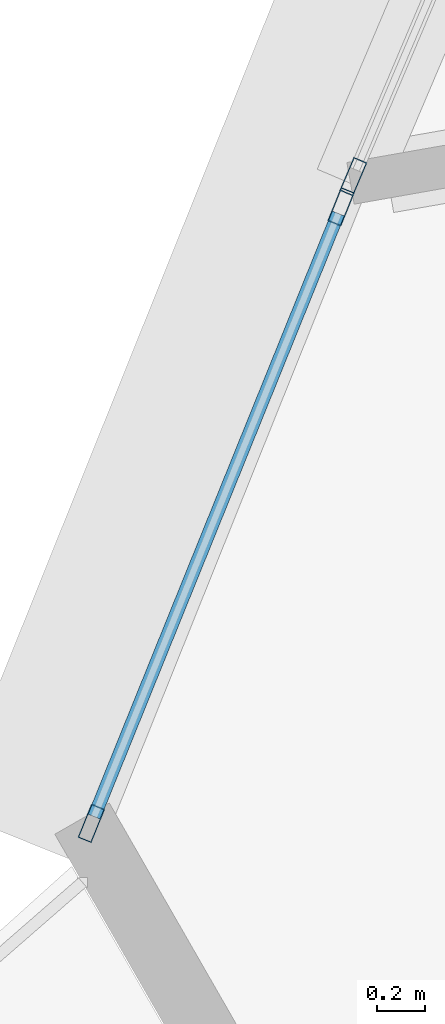
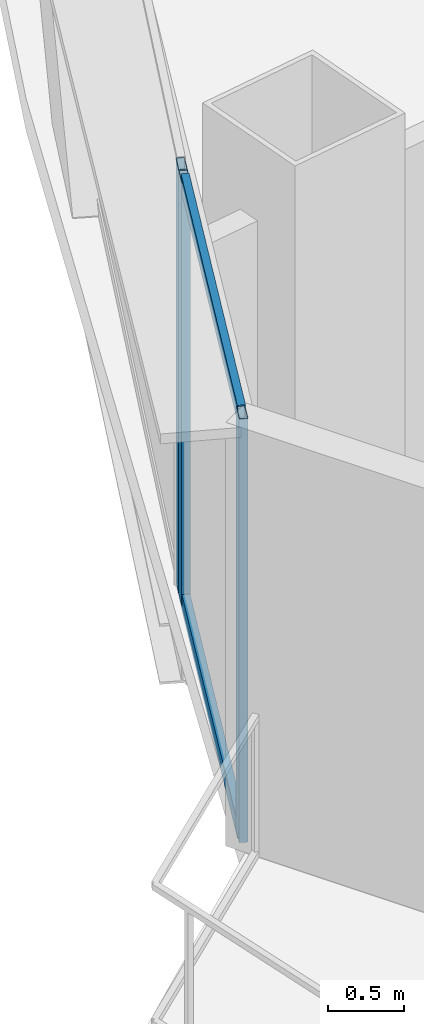
# One storey, part 4 of 39: 5 members, 2 elements without a shape of their own.
"""IFC4 building model written with IfcOpenShell, lengths in metres."""

import ifcopenshell
import ifcopenshell.guid

model = None  # the IFC model being written
_history = None  # IfcOwnerHistory: only IFC2X3 demands one
_inside = {}  # id of a spatial element -> (the spatial element, [elements in it])
_under = {}  # id of a project, library or spatial element -> (it, [spatial elements below it])
_declared = {}  # id of a project -> (the project, [libraries it declares])
_typed = {}  # id of a type object -> (the type object, [elements of that type])
_made_of = {}  # id of a material, layer set ... -> (it, [elements and type objects made of it])


def new_model(schema):
    """Start an empty IFC model of exactly this schema.

    Asked for "IFC4X3", IfcOpenShell would pick the latest addendum, in which some entities
    have other attributes; the version numbers below select the first issue.
    IFC2X3 requires an IfcOwnerHistory on every rooted entity: one is made here for all.
    """
    global model, _history
    if schema == "IFC4X3":
        model = ifcopenshell.file(schema_version=(4, 3, 0, 0))
    else:
        model = ifcopenshell.file(schema=schema)
    _inside.clear()
    _under.clear()
    _declared.clear()
    _typed.clear()
    _made_of.clear()
    _history = None
    if model.schema == "IFC2X3":
        org = make("IfcOrganization", Name="unknown")
        user = make(
            "IfcPersonAndOrganization",
            ThePerson=make("IfcPerson", FamilyName="unknown"),
            TheOrganization=org,
        )
        app = make(
            "IfcApplication",
            ApplicationDeveloper=org,
            Version="unknown",
            ApplicationFullName="unknown",
            ApplicationIdentifier="unknown",
        )
        _history = make(
            "IfcOwnerHistory",
            OwningUser=user,
            OwningApplication=app,
            ChangeAction="ADDED",
            CreationDate=0,
        )
    return model


def make(cls, **values):
    """One entity of the class cls with the attributes given. An attribute that is None is left unset."""
    return model.create_entity(
        cls, **{name: value for name, value in values.items() if value is not None}
    )


def rooted(cls, **values):
    """An entity with a GlobalId (a new one), such as an element, a storey or a relation."""
    return make(cls, GlobalId=ifcopenshell.guid.new(), OwnerHistory=_history, **values)


def si_unit(unit_type, name, prefix=None):
    """IfcSIUnit, for example si_unit("LENGTHUNIT", "METRE", prefix="MILLI")."""
    return make("IfcSIUnit", UnitType=unit_type, Prefix=prefix, Name=name)


def assignment(units):
    """IfcUnitAssignment: the units of a project."""
    return None if units is None else make("IfcUnitAssignment", Units=units)


def point(xyz):
    """IfcCartesianPoint."""
    return None if xyz is None else make("IfcCartesianPoint", Coordinates=xyz)


def direction(xyz):
    """IfcDirection."""
    return None if xyz is None else make("IfcDirection", DirectionRatios=xyz)


def frame(location, z_axis=None, x_axis=None):
    """IfcAxis2Placement3D, a coordinate frame: its origin and axes. An axis left out is left unset."""
    return make(
        "IfcAxis2Placement3D",
        Location=point(location),
        Axis=direction(z_axis),
        RefDirection=direction(x_axis),
    )


def frame_2d(location, x_axis=None):
    """IfcAxis2Placement2D, a coordinate frame in the plane: its origin and x axis."""
    return make(
        "IfcAxis2Placement2D", Location=point(location), RefDirection=direction(x_axis)
    )


def origin():
    """The frame at (0, 0, 0) with its axes left unset."""
    return frame((0.0, 0.0, 0.0))


def origin_2d():
    """The frame at (0, 0) in the plane with its x axis left unset."""
    return frame_2d((0.0, 0.0))


def place(relative_to, where):
    """IfcLocalPlacement: puts the frame where relative to a parent placement (None: the world)."""
    return make(
        "IfcLocalPlacement", PlacementRelTo=relative_to, RelativePlacement=where
    )


def context(
    kind, dimensions, precision=None, world=None, true_north=None, identifier=None
):
    """IfcGeometricRepresentationContext, for example the 3D "Model" context."""
    return make(
        "IfcGeometricRepresentationContext",
        ContextIdentifier=identifier,
        ContextType=kind,
        CoordinateSpaceDimension=dimensions,
        Precision=precision,
        WorldCoordinateSystem=world,
        TrueNorth=true_north,
    )


def subcontext(parent, identifier, kind, view, scale=None):
    """IfcGeometricRepresentationSubContext, for example "Body" below "Model"."""
    return make(
        "IfcGeometricRepresentationSubContext",
        ContextIdentifier=identifier,
        ContextType=kind,
        ParentContext=parent,
        TargetScale=scale,
        TargetView=view,
    )


def project(units=None, contexts=None):
    """IfcProject with its units and contexts."""
    return rooted(
        "IfcProject",
        Name="project",
        RepresentationContexts=contexts,
        UnitsInContext=assignment(units),
    )


def spatial(cls, under=None, at=None, **own):
    """A site, building, storey or space (cls), placed at a placement, below another one or the project."""
    s = rooted(cls, ObjectPlacement=at, **own)
    if under is not None:
        _under.setdefault(under.id(), (under, []))[1].append(s)
    return s


def profile(cls, at=None, kind="AREA", **sizes):
    """A parametric profile (cls). Its sizes go by their IFC names, for example OverallWidth=200.0."""
    return make(cls, ProfileType=kind, Position=at, **sizes)


def hollow_rectangle(**sizes):
    """IfcRectangleHollowProfileDef."""
    return profile("IfcRectangleHollowProfileDef", **sizes)


def extrude(swept, where, along, depth):
    """IfcExtrudedAreaSolid: the profile swept, set in the frame where, extruded along a direction by depth."""
    return make(
        "IfcExtrudedAreaSolid",
        SweptArea=swept,
        Position=where,
        ExtrudedDirection=direction(along),
        Depth=depth,
    )


def shape(context_of_items, identifier, shape_type, items):
    """IfcShapeRepresentation: the items that make up one representation, for example the "Body"."""
    return make(
        "IfcShapeRepresentation",
        ContextOfItems=context_of_items,
        RepresentationIdentifier=identifier,
        RepresentationType=shape_type,
        Items=items,
    )


def source(mapping_origin, context_of_items, identifier, shape_type, items):
    """IfcRepresentationMap: a shape defined once, which mapped items show again and again."""
    return make(
        "IfcRepresentationMap",
        MappingOrigin=mapping_origin,
        MappedRepresentation=shape(context_of_items, identifier, shape_type, items),
    )


def transform(
    local_origin,
    x_axis=None,
    y_axis=None,
    z_axis=None,
    scale=None,
    scale2=None,
    scale3=None,
    uniform=True,
):
    """IfcCartesianTransformationOperator3D, or its non-uniform kind. x_axis, y_axis, z_axis: its Axis1, 2, 3."""
    if uniform:
        return make(
            "IfcCartesianTransformationOperator3D",
            Axis1=direction(x_axis),
            Axis2=direction(y_axis),
            LocalOrigin=point(local_origin),
            Scale=scale,
            Axis3=direction(z_axis),
        )
    return make(
        "IfcCartesianTransformationOperator3DnonUniform",
        Axis1=direction(x_axis),
        Axis2=direction(y_axis),
        LocalOrigin=point(local_origin),
        Scale=scale,
        Axis3=direction(z_axis),
        Scale2=scale2,
        Scale3=scale3,
    )


def mapped(mapping_source, mapping_target):
    """IfcMappedItem: shows the shape of a source again, moved by a transform."""
    return make(
        "IfcMappedItem", MappingSource=mapping_source, MappingTarget=mapping_target
    )


def material(Name=None, Category=None):
    """IfcMaterial."""
    return make("IfcMaterial", Name=Name, Category=Category)


def layer(
    of_material, thickness, ventilated=None, Name=None, Category=None, Priority=None
):
    """IfcMaterialLayer: one layer of a wall or slab, of a material (None: an air gap)."""
    return make(
        "IfcMaterialLayer",
        Material=of_material,
        LayerThickness=thickness,
        IsVentilated=ventilated,
        Name=Name,
        Category=Category,
        Priority=Priority,
    )


def layer_set(layers, Name=None):
    """IfcMaterialLayerSet."""
    return make("IfcMaterialLayerSet", MaterialLayers=layers, LayerSetName=Name)


def material_profile(
    of_material, cross_section, Name=None, Category=None, Priority=None
):
    """IfcMaterialProfile: a cross section and its material."""
    return make(
        "IfcMaterialProfile",
        Name=Name,
        Material=of_material,
        Profile=cross_section,
        Priority=Priority,
        Category=Category,
    )


def profile_set(profiles, Name=None, composite=None):
    """IfcMaterialProfileSet."""
    return make(
        "IfcMaterialProfileSet",
        Name=Name,
        MaterialProfiles=profiles,
        CompositeProfile=composite,
    )


def made_of(thing, what):
    """Note that an element or type object is made of a material, layer set ...; save() writes the relation."""
    if what is not None:
        _made_of.setdefault(what.id(), (what, []))[1].append(thing)
    return thing


def type_object(cls, material=None, **own):
    """A type object (cls), such as IfcWallType, which elements share."""
    return made_of(rooted(cls, **own), material)


def element(
    cls,
    number,
    at=None,
    inside=None,
    cuts=None,
    type_object=None,
    material=None,
    context=None,
    identifier="Body",
    shape_type=None,
    held_by="IfcProductDefinitionShape",
    body=None,
    shapes=None,
    **own,
):
    """One element of the class cls, such as IfcWall. Its Tag is "e" and its number.

    at: its placement. inside: the storey or other place that contains it. cuts: it is an
    opening in that element (IfcRelVoidsElement). A single representation is given by context,
    identifier, shape_type and body (its items); several are given by shapes. held_by: the class
    of the entity that holds the representations. save() writes the other relations.
    """
    e = rooted(cls, Tag="e%d" % number, ObjectPlacement=at, **own)
    if body is not None:
        shapes = [shape(context, identifier, shape_type, body)]
    if shapes is not None:
        e.Representation = make(held_by, Representations=shapes)
    if inside is not None:
        _inside.setdefault(inside.id(), (inside, []))[1].append(e)
    if cuts is not None:
        rooted(
            "IfcRelVoidsElement", RelatingBuildingElement=cuts, RelatedOpeningElement=e
        )
    if type_object is not None:
        _typed.setdefault(type_object.id(), (type_object, []))[1].append(e)
    return made_of(e, material)


def aggregate(whole, parts):
    """IfcRelAggregates: a whole, such as a stair, and the parts it consists of."""
    return rooted("IfcRelAggregates", RelatingObject=whole, RelatedObjects=parts)


def save(model, path):
    """Write the relations noted so far, then the file.

    IfcRelAggregates (storeys below a building ...), IfcRelContainedInSpatialStructure (elements
    in a storey), IfcRelDefinesByType, IfcRelAssociatesMaterial and IfcRelDeclares: one each for
    every whole, place, type object, material and project.
    """
    for whole, parts in _under.values():
        aggregate(whole, parts)
    for where, things in _inside.values():
        rooted(
            "IfcRelContainedInSpatialStructure",
            RelatedElements=things,
            RelatingStructure=where,
        )
    for kind, things in _typed.values():
        rooted("IfcRelDefinesByType", RelatedObjects=things, RelatingType=kind)
    for what, things in _made_of.values():
        rooted("IfcRelAssociatesMaterial", RelatedObjects=things, RelatingMaterial=what)
    for by, libraries in _declared.values():
        rooted("IfcRelDeclares", RelatingContext=by, RelatedDefinitions=libraries)
    model.write(path)


model = new_model("IFC4")

# Units and contexts
model_context = context("Model", 3, precision=1e-05, world=origin(), true_north=direction((0.0, 1.0)))
body_context = subcontext(model_context, "Body", "Model", "MODEL_VIEW")
ifc_project = project(units=[si_unit("LENGTHUNIT", "METRE"), si_unit("AREAUNIT", "SQUARE_METRE"), si_unit("VOLUMEUNIT", "CUBIC_METRE"), si_unit("PLANEANGLEUNIT", "RADIAN"), si_unit("MASSUNIT", "GRAM", prefix="KILO"), si_unit("THERMODYNAMICTEMPERATUREUNIT", "KELVIN"), si_unit("POWERUNIT", "WATT")], contexts=[model_context])

# Site, building, storey
site_placement = place(None, origin())
site = spatial("IfcSite", under=ifc_project, at=site_placement, CompositionType="ELEMENT")
building_placement = place(site_placement, origin())
building = spatial("IfcBuilding", under=site, at=building_placement, Name="Yunzhuo Pagoda Commons", CompositionType="ELEMENT")
storey_placement = place(building_placement, frame((0.0, 0.0, 162.949951171875)))
storey = spatial("IfcBuildingStorey", under=building, at=storey_placement, Name="L41", CompositionType="ELEMENT", Elevation=162.949951171875)

# Curtain wall, member
ifc_material = material(Name="Anodized aluminium 6063-T6", Category="aluminium")
ifc_layer = layer(ifc_material, 0.14990234375)
ifc_layer_set = layer_set([ifc_layer], Name="Anodized aluminium 6063-T6")
curtain_wall_type = type_object("IfcCurtainWallType", Name="CW-MID Mid-Zone Ribbon Curtain Wall", PredefinedType="NOTDEFINED", material=ifc_layer_set)
curtain_wall_1_placement = place(storey_placement, origin())
curtain_wall_1 = element("IfcCurtainWall", 1, at=curtain_wall_1_placement, inside=storey, type_object=curtain_wall_type, Name="L41 curtain wall CW-L41-F3B4", PredefinedType="NOTDEFINED")
ifc_material_profile_1 = material_profile(ifc_material, hollow_rectangle(XDim=0.06005859375, YDim=0.14990234375, WallThickness=0.00390625, at=origin_2d()), Name="Anodized aluminium 6063-T6")
ifc_profile_set_1 = profile_set([ifc_material_profile_1], Name="Anodized aluminium 6063-T6")
member_type_1 = type_object("IfcMemberType", Name="CW-MID-M Mullion RHS 150x60x4", PredefinedType="MULLION", material=ifc_profile_set_1)
shared_shape_1 = source(origin(), body_context, "Body", "SweptSolid", [
    extrude(hollow_rectangle(XDim=0.06005859375, YDim=0.14990234375, WallThickness=0.00390625, at=origin_2d()), origin(), (0.0, 0.0, 1.0), 3.420166015625),
])
member_1_placement = place(storey_placement, frame((9.98046875, 27.02197265625, 0.0), z_axis=(0.0, 0.0, 1.0), x_axis=(0.920363798122, -0.391063267395, 0.0)))
member_1 = element("IfcMember", 2, at=member_1_placement, type_object=member_type_1, Name="CW mullion 2", PredefinedType="MULLION", context=body_context, shape_type="MappedRepresentation", body=[
    mapped(shared_shape_1, transform((0.0, 0.0, 0.0), scale=1.0)),
])
aggregate(curtain_wall_1, [member_1])

# Curtain wall, members
curtain_wall_2_placement = place(storey_placement, origin())
curtain_wall_2 = element("IfcCurtainWall", 3, at=curtain_wall_2_placement, inside=storey, type_object=curtain_wall_type, Name="L41 curtain wall CW-L41-F3B5", PredefinedType="NOTDEFINED")
member_2_placement = place(storey_placement, frame((9.929443359375, 26.89697265625, 0.0), z_axis=(0.0, 0.0, 1.0), x_axis=(0.926896232527, -0.375317697594, 0.0)))
member_2 = element("IfcMember", 4, at=member_2_placement, type_object=member_type_1, Name="CW mullion 1", PredefinedType="MULLION", context=body_context, shape_type="MappedRepresentation", body=[
    mapped(shared_shape_1, transform((0.0, 0.0, 0.0), scale=1.0)),
])
member_3_placement = place(storey_placement, frame((8.894775390625, 24.342041015625, 0.0), z_axis=(0.0, 0.0, 1.0), x_axis=(0.926896232527, -0.375317697594, 0.0)))
member_3 = element("IfcMember", 5, at=member_3_placement, type_object=member_type_1, Name="CW mullion 2", PredefinedType="MULLION", context=body_context, shape_type="MappedRepresentation", body=[
    mapped(shared_shape_1, transform((0.0, 0.0, 0.0), scale=1.0)),
])
ifc_material_profile_2 = material_profile(ifc_material, hollow_rectangle(XDim=0.054931640625, YDim=0.1298828125, WallThickness=0.00341796875, at=origin_2d()), Name="Anodized aluminium 6063-T6")
ifc_profile_set_2 = profile_set([ifc_material_profile_2], Name="Anodized aluminium 6063-T6")
member_type_2 = type_object("IfcMemberType", Name="CW-MID-T Transom RHS 130x55x3.5", PredefinedType="USERDEFINED", material=ifc_profile_set_2)
shared_shape_2 = source(origin(), body_context, "Body", "SweptSolid", [
    extrude(hollow_rectangle(XDim=0.054931640625, YDim=0.1298828125, WallThickness=0.00341796875, at=origin_2d()), origin(), (0.0, 0.0, 1.0), 2.6962890625),
])
member_4_placement = place(storey_placement, frame((9.91796875, 26.869140625, 0.027587890625), z_axis=(-0.375305747768, -0.926901071146, 0.0), x_axis=(0.926901071146, -0.375305747768, 0.0)))
member_4 = element("IfcMember", 6, at=member_4_placement, type_object=member_type_2, Name="CW transom 1.1", ObjectType="TRANSOM", PredefinedType="USERDEFINED", context=body_context, shape_type="MappedRepresentation", body=[
    mapped(shared_shape_2, transform((0.0, 0.0, 0.0), scale=1.0)),
])
member_5_placement = place(storey_placement, frame((9.91796875, 26.869140625, 3.392578125), z_axis=(-0.375305747768, -0.926901071146, 0.0), x_axis=(0.926901071146, -0.375305747768, 0.0)))
member_5 = element("IfcMember", 7, at=member_5_placement, type_object=member_type_2, Name="CW transom 1.2", ObjectType="TRANSOM", PredefinedType="USERDEFINED", context=body_context, shape_type="MappedRepresentation", body=[
    mapped(shared_shape_2, transform((0.0, 0.0, 0.0), scale=1.0)),
])
aggregate(curtain_wall_2, [member_2, member_3, member_4, member_5])

save(model, "model.ifc")
